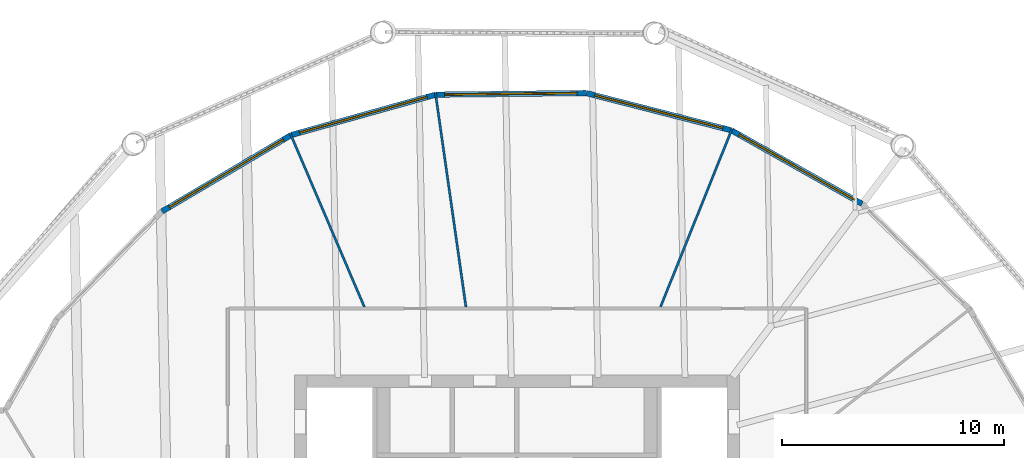
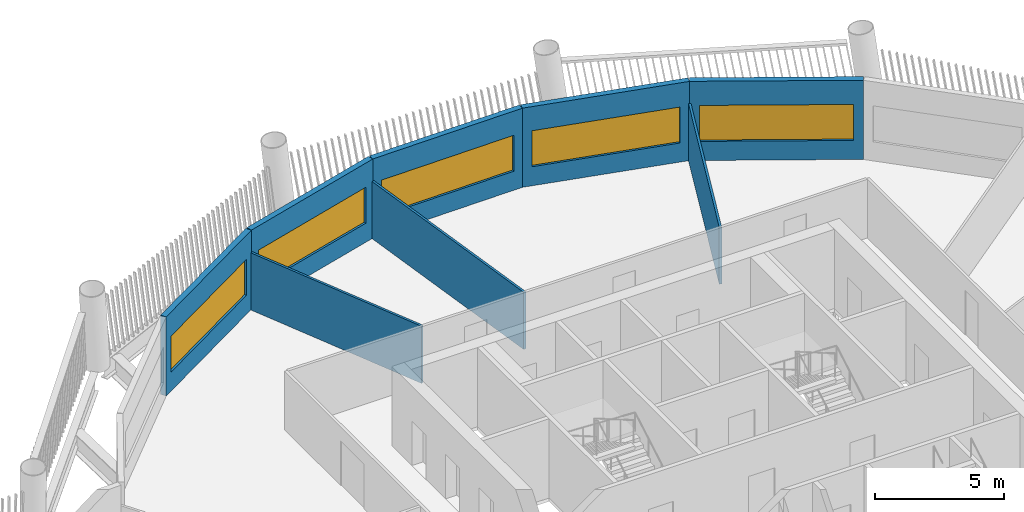
# One storey, part 7 of 15: 8 walls, 5 windows, 5 openings.
"""IFC4 building model written with IfcOpenShell, lengths in metres."""

from ifc_helpers import new_model, si_unit, direction, frame, frame_2d, origin, place, context, subcontext, project, spatial, rectangle, extrude, material, layer, layer_set, type_object, element, fill, save


model = new_model("IFC4")

# Units and contexts
model_context = context("Model", 3, precision=1e-05, world=origin(), true_north=direction((0.0, 1.0)))
body_context = subcontext(model_context, "Body", "Model", "MODEL_VIEW")
ifc_project = project(units=[si_unit("LENGTHUNIT", "METRE"), si_unit("AREAUNIT", "SQUARE_METRE"), si_unit("VOLUMEUNIT", "CUBIC_METRE"), si_unit("PLANEANGLEUNIT", "RADIAN"), si_unit("MASSUNIT", "GRAM", prefix="KILO")], contexts=[model_context])

# Site, building, storey
site_placement = place(None, origin())
site = spatial("IfcSite", under=ifc_project, at=site_placement, CompositionType="ELEMENT")
building_placement = place(site_placement, origin())
building = spatial("IfcBuilding", under=site, at=building_placement, Name="Tarsis Ring Headquarters", CompositionType="ELEMENT")
storey_placement = place(building_placement, frame((0.0, 0.0, 290.300048828125)))
storey = spatial("IfcBuildingStorey", under=building, at=storey_placement, Name="L68", CompositionType="ELEMENT", Elevation=290.300048828125)

# Walls
ifc_material_1 = material(Name="Gypsum board on steel studs", Category="steel")
ifc_layer_1 = layer(ifc_material_1, 0.10009765625)
ifc_layer_set_1 = layer_set([ifc_layer_1], Name="FL partition 100 unrated")
wall_type_1 = type_object("IfcWallType", Name="FL partition 100 unrated", PredefinedType="PARTITIONING", material=ifc_layer_set_1)
wall_1_placement = place(storey_placement, frame((-3.6650390625, 25.687744140625, 0.0), z_axis=(0.0, 0.0, 1.0), x_axis=(0.141245456798, -0.989974606207, 0.0)))
element("IfcWall", 1, at=wall_1_placement, inside=storey, type_object=wall_type_1, Name="Partition PW3", PredefinedType="PARTITIONING", context=body_context, shape_type="SweptSolid", body=[
    extrude(rectangle(XDim=9.7158203125, YDim=0.10009765625, at=frame_2d((4.85791015625, 0.0))), origin(), (0.0, 0.0, 1.0), 2.699951171875),
])
wall_2_placement = place(storey_placement, frame((6.455322265625, 16.07421875, 0.0), z_axis=(0.0, 0.0, 1.0), x_axis=(0.372673744241, 0.927962434775, 0.0)))
element("IfcWall", 2, at=wall_2_placement, inside=storey, type_object=wall_type_1, Name="Partition PW3", PredefinedType="PARTITIONING", context=body_context, shape_type="SweptSolid", body=[
    extrude(rectangle(XDim=8.625732421875, YDim=0.10009765625, at=frame_2d((4.31298828125, 0.0))), origin(), (0.0, 0.0, 1.0), 2.699951171875),
])
wall_3_placement = place(storey_placement, frame((-10.188720703125, 23.86376953125, 0.0), z_axis=(0.0, 0.0, 1.0), x_axis=(0.392670149797, -0.919679375358, 0.0)))
element("IfcWall", 3, at=wall_3_placement, inside=storey, type_object=wall_type_1, Name="Partition PW3", PredefinedType="PARTITIONING", context=body_context, shape_type="SweptSolid", body=[
    extrude(rectangle(XDim=8.470703125, YDim=0.10009765625, at=frame_2d((4.2353515625, 0.0))), origin(), (0.0, 0.0, 1.0), 2.699951171875),
])

# Wall, opening, window
ifc_material_2 = material(Name="Terracotta clad insulated panel wall", Category="masonry")
ifc_layer_2 = layer(ifc_material_2, 0.25)
ifc_layer_set_2 = layer_set([ifc_layer_2], Name="Facade wall terracotta panel 250")
wall_type_2 = type_object("IfcWallType", Name="Facade wall terracotta panel 250", PredefinedType="STANDARD", material=ifc_layer_set_2)
wall_4_placement = place(storey_placement, frame((15.513671875, 20.70458984375, 0.0), z_axis=(0.0, 0.0, 1.0), x_axis=(-0.871403788945, 0.490566444646, 0.0)))
wall_4 = element("IfcWall", 4, at=wall_4_placement, inside=storey, type_object=wall_type_2, Name="External wall L68-24", PredefinedType="STANDARD", context=body_context, shape_type="SweptSolid", body=[
    extrude(rectangle(XDim=6.721435546875, YDim=0.25, at=frame_2d((3.36083984375, 0.0))), origin(), (0.0, 0.0, 1.0), 3.739990234375),
])
opening_1_placement = place(wall_4_placement, frame((0.3857421875, 0.0, 0.89990234375)))
opening_1 = element("IfcOpeningElement", 5, at=opening_1_placement, cuts=wall_4, Name="Opening WN07", PredefinedType="OPENING", context=body_context, shape_type="SweptSolid", body=[
    extrude(rectangle(XDim=5.949951171875, YDim=1.699951171875, at=frame_2d((2.97509765625, 0.85009765625))), frame((0.0, 0.135009765625, 0.0), z_axis=(0.0, -1.0, 0.0), x_axis=(1.0, 0.0, 0.0)), (0.0, 0.0, 1.0), 0.27001953125),
])
ifc_material_3 = material(Name="Aluminium framed double glazing", Category="aluminium")
window_type = type_object("IfcWindowType", Name="Facade window 5950 x 1700", PartitioningType="SINGLE_PANEL", PredefinedType="WINDOW", material=ifc_material_3)
window_1_placement = place(opening_1_placement, origin())
window_1 = element("IfcWindow", 6, at=window_1_placement, inside=storey, type_object=window_type, Name="Window L68-24.1", OverallHeight=1.699951171875, OverallWidth=5.949951171875, PartitioningType="SINGLE_PANEL", PredefinedType="WINDOW", context=body_context, shape_type="SweptSolid", body=[
    extrude(rectangle(XDim=5.949951171875, YDim=1.699951171875, at=frame_2d((2.97509765625, 0.85009765625))), frame((0.0, 0.030029296875, 0.0), z_axis=(0.0, -1.0, 0.0), x_axis=(1.0, 0.0, 0.0)), (0.0, 0.0, 1.0), 0.06005859375),
])
fill(opening_1, window_1)

wall_5_placement = place(storey_placement, frame((9.626220703125, 24.01416015625, 0.0), z_axis=(0.0, 0.0, 1.0), x_axis=(-0.968663417886, 0.248377098077, 0.0)))
wall_5 = element("IfcWall", 7, at=wall_5_placement, inside=storey, type_object=wall_type_2, Name="External wall L68-25", PredefinedType="STANDARD", context=body_context, shape_type="SweptSolid", body=[
    extrude(rectangle(XDim=6.721435546875, YDim=0.25, at=frame_2d((3.36083984375, 0.0))), origin(), (0.0, 0.0, 1.0), 3.739990234375),
])
opening_2_placement = place(wall_5_placement, frame((0.3857421875, 0.0, 0.89990234375)))
opening_2 = element("IfcOpeningElement", 8, at=opening_2_placement, cuts=wall_5, Name="Opening WN07", PredefinedType="OPENING", context=body_context, shape_type="SweptSolid", body=[
    extrude(rectangle(XDim=5.949951171875, YDim=1.699951171875, at=frame_2d((2.97509765625, 0.85009765625))), frame((0.0, 0.135009765625, 0.0), z_axis=(0.0, -1.0, 0.0), x_axis=(1.0, 0.0, 0.0)), (0.0, 0.0, 1.0), 0.27001953125),
])
window_2_placement = place(opening_2_placement, origin())
window_2 = element("IfcWindow", 9, at=window_2_placement, inside=storey, type_object=window_type, Name="Window L68-25.1", OverallHeight=1.699951171875, OverallWidth=5.949951171875, PartitioningType="SINGLE_PANEL", PredefinedType="WINDOW", context=body_context, shape_type="SweptSolid", body=[
    extrude(rectangle(XDim=5.949951171875, YDim=1.699951171875, at=frame_2d((2.97509765625, 0.85009765625))), frame((0.0, 0.030029296875, 0.0), z_axis=(0.0, -1.0, 0.0), x_axis=(1.0, 0.0, 0.0)), (0.0, 0.0, 1.0), 0.06005859375),
])
fill(opening_2, window_2)

wall_6_placement = place(storey_placement, frame((3.0830078125, 25.6875, 0.0), z_axis=(0.0, 0.0, 1.0), x_axis=(-0.999941419652, -0.010823920925, 0.0)))
wall_6 = element("IfcWall", 10, at=wall_6_placement, inside=storey, type_object=wall_type_2, Name="External wall L68-26", PredefinedType="STANDARD", context=body_context, shape_type="SweptSolid", body=[
    extrude(rectangle(XDim=6.7216796875, YDim=0.25, at=frame_2d((3.36083984375, 0.0))), origin(), (0.0, 0.0, 1.0), 3.739990234375),
])
opening_3_placement = place(wall_6_placement, frame((0.3857421875, 0.0, 0.89990234375)))
opening_3 = element("IfcOpeningElement", 11, at=opening_3_placement, cuts=wall_6, Name="Opening WN07", PredefinedType="OPENING", context=body_context, shape_type="SweptSolid", body=[
    extrude(rectangle(XDim=5.949951171875, YDim=1.699951171875, at=frame_2d((2.97509765625, 0.85009765625))), frame((0.0, 0.135009765625, 0.0), z_axis=(0.0, -1.0, 0.0), x_axis=(1.0, 0.0, 0.0)), (0.0, 0.0, 1.0), 0.27001953125),
])
window_3_placement = place(opening_3_placement, origin())
window_3 = element("IfcWindow", 12, at=window_3_placement, inside=storey, type_object=window_type, Name="Window L68-26.1", OverallHeight=1.699951171875, OverallWidth=5.949951171875, PartitioningType="SINGLE_PANEL", PredefinedType="WINDOW", context=body_context, shape_type="SweptSolid", body=[
    extrude(rectangle(XDim=5.949951171875, YDim=1.699951171875, at=frame_2d((2.97509765625, 0.85009765625))), frame((0.0, 0.030029296875, 0.0), z_axis=(0.0, -1.0, 0.0), x_axis=(1.0, 0.0, 0.0)), (0.0, 0.0, 1.0), 0.06005859375),
])
fill(opening_3, window_3)

wall_7_placement = place(storey_placement, frame((-3.67041015625, 25.610107421875, 0.0), z_axis=(0.0, 0.0, 1.0), x_axis=(-0.963069569728, -0.269252676613, 0.0)))
wall_7 = element("IfcWall", 13, at=wall_7_placement, inside=storey, type_object=wall_type_2, Name="External wall L68-27", PredefinedType="STANDARD", context=body_context, shape_type="SweptSolid", body=[
    extrude(rectangle(XDim=6.7216796875, YDim=0.25, at=frame_2d((3.36083984375, 0.0))), origin(), (0.0, 0.0, 1.0), 3.739990234375),
])
opening_4_placement = place(wall_7_placement, frame((0.3857421875, 0.0, 0.89990234375)))
opening_4 = element("IfcOpeningElement", 14, at=opening_4_placement, cuts=wall_7, Name="Opening WN07", PredefinedType="OPENING", context=body_context, shape_type="SweptSolid", body=[
    extrude(rectangle(XDim=5.949951171875, YDim=1.699951171875, at=frame_2d((2.97509765625, 0.85009765625))), frame((0.0, 0.135009765625, 0.0), z_axis=(0.0, -1.0, 0.0), x_axis=(1.0, 0.0, 0.0)), (0.0, 0.0, 1.0), 0.27001953125),
])
window_4_placement = place(opening_4_placement, origin())
window_4 = element("IfcWindow", 15, at=window_4_placement, inside=storey, type_object=window_type, Name="Window L68-27.1", OverallHeight=1.699951171875, OverallWidth=5.949951171875, PartitioningType="SINGLE_PANEL", PredefinedType="WINDOW", context=body_context, shape_type="SweptSolid", body=[
    extrude(rectangle(XDim=5.949951171875, YDim=1.699951171875, at=frame_2d((2.97509765625, 0.85009765625))), frame((0.0, 0.030029296875, 0.0), z_axis=(0.0, -1.0, 0.0), x_axis=(1.0, 0.0, 0.0)), (0.0, 0.0, 1.0), 0.06005859375),
])
fill(opening_4, window_4)

wall_8_placement = place(storey_placement, frame((-10.173828125, 23.787353515625, 0.0), z_axis=(0.0, 0.0, 1.0), x_axis=(-0.860573433646, -0.509326383867, 0.0)))
wall_8 = element("IfcWall", 16, at=wall_8_placement, inside=storey, type_object=wall_type_2, Name="External wall L68-28", PredefinedType="STANDARD", context=body_context, shape_type="SweptSolid", body=[
    extrude(rectangle(XDim=6.72119140625, YDim=0.25, at=frame_2d((3.360595703125, 0.0))), origin(), (0.0, 0.0, 1.0), 3.739990234375),
])
opening_5_placement = place(wall_8_placement, frame((0.3857421875, 0.0, 0.89990234375)))
opening_5 = element("IfcOpeningElement", 17, at=opening_5_placement, cuts=wall_8, Name="Opening WN07", PredefinedType="OPENING", context=body_context, shape_type="SweptSolid", body=[
    extrude(rectangle(XDim=5.949951171875, YDim=1.699951171875, at=frame_2d((2.97509765625, 0.85009765625))), frame((0.0, 0.135009765625, 0.0), z_axis=(0.0, -1.0, 0.0), x_axis=(1.0, 0.0, 0.0)), (0.0, 0.0, 1.0), 0.27001953125),
])
window_5_placement = place(opening_5_placement, origin())
window_5 = element("IfcWindow", 18, at=window_5_placement, inside=storey, type_object=window_type, Name="Window L68-28.1", OverallHeight=1.699951171875, OverallWidth=5.949951171875, PartitioningType="SINGLE_PANEL", PredefinedType="WINDOW", context=body_context, shape_type="SweptSolid", body=[
    extrude(rectangle(XDim=5.949951171875, YDim=1.699951171875, at=frame_2d((2.97509765625, 0.85009765625))), frame((0.0, 0.030029296875, 0.0), z_axis=(0.0, -1.0, 0.0), x_axis=(1.0, 0.0, 0.0)), (0.0, 0.0, 1.0), 0.06005859375),
])
fill(opening_5, window_5)

save(model, "model.ifc")
